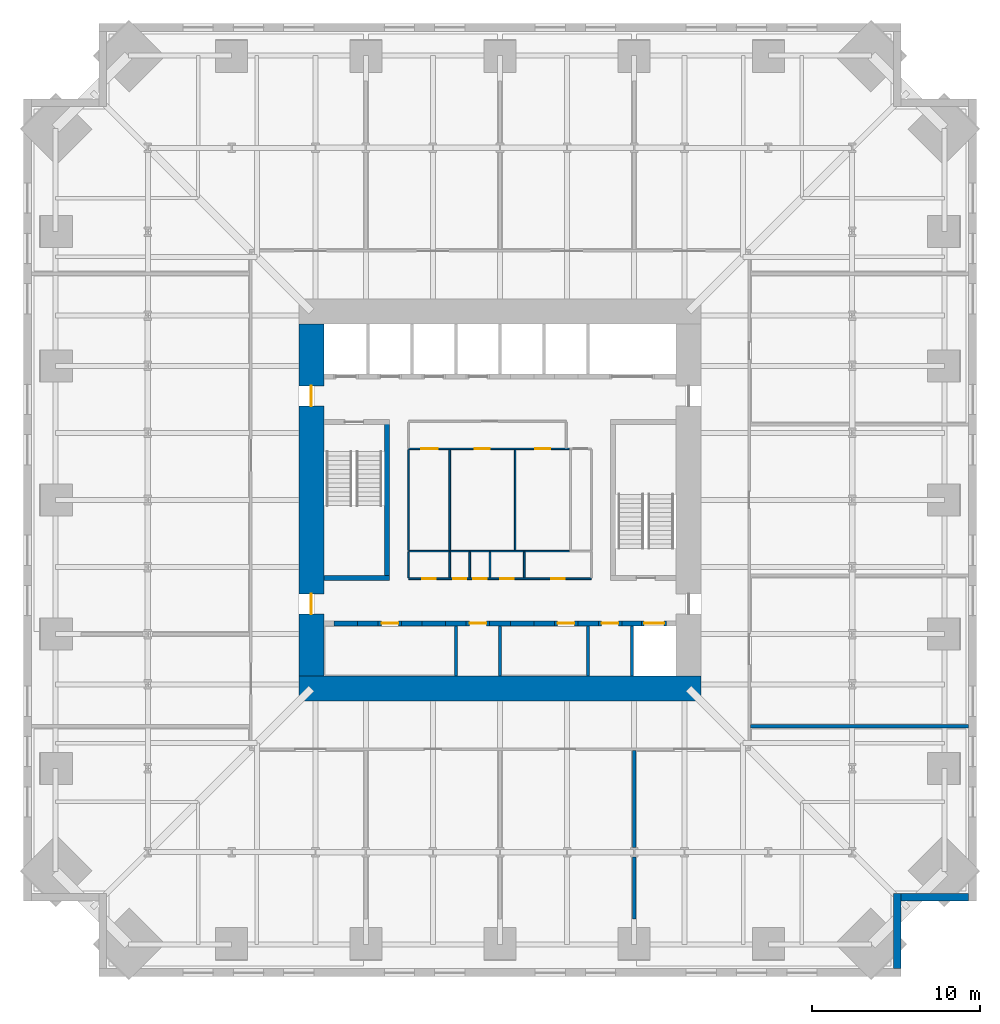
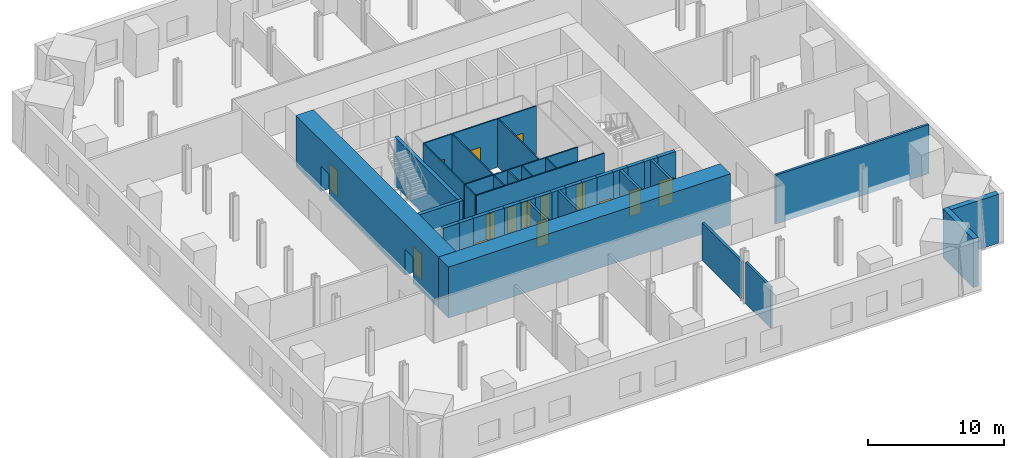
# One storey, part 4 of 8: 39 walls, 15 doors, 15 openings.
"""IFC4 building model written with IfcOpenShell, lengths in metres."""

from ifc_helpers import new_model, si_unit, direction, frame, frame_2d, origin, place, context, subcontext, project, spatial, rectangle, extrude, material, layer, layer_set, type_object, element, fill, save


model = new_model("IFC4")

# Units and contexts
model_context = context("Model", 3, precision=1e-05, world=origin(), true_north=direction((0.0, 1.0)))
body_context = subcontext(model_context, "Body", "Model", "MODEL_VIEW")
ifc_project = project(units=[si_unit("LENGTHUNIT", "METRE"), si_unit("AREAUNIT", "SQUARE_METRE"), si_unit("VOLUMEUNIT", "CUBIC_METRE"), si_unit("PLANEANGLEUNIT", "RADIAN"), si_unit("MASSUNIT", "GRAM", prefix="KILO")], contexts=[model_context])

# Site, building, storey
site_placement = place(None, origin())
site = spatial("IfcSite", under=ifc_project, at=site_placement, CompositionType="ELEMENT")
building_placement = place(site_placement, origin())
building = spatial("IfcBuilding", under=site, at=building_placement, Name="Peilmerk Tower", CompositionType="ELEMENT")
storey_placement = place(building_placement, frame((0.0, 0.0, 109.0)))
storey = spatial("IfcBuildingStorey", under=building, at=storey_placement, Name="L21", CompositionType="ELEMENT", Elevation=109.0)

# Walls
ifc_material_1 = material(Name="Precast concrete C45/55, board-marked finish", Category="concrete")
ifc_layer_1 = layer(ifc_material_1, 0.449951171875)
ifc_layer_set_1 = layer_set([ifc_layer_1], Name="Precast concrete C45/55, board-marked finish")
wall_type_1 = type_object("IfcWallType", Name="EW1 450 precast concrete facade wall, board-marked", PredefinedType="SOLIDWALL", material=ifc_layer_set_1)
wall_1_placement = place(storey_placement, frame((23.675048828125, -23.449951171875, 0.0), z_axis=(0.0, 0.0, 1.0), x_axis=(0.0, -1.0, 0.0)))
element("IfcWall", 1, at=wall_1_placement, inside=storey, type_object=wall_type_1, Name="Facade wall SEA L21", PredefinedType="SOLIDWALL", context=body_context, shape_type="SweptSolid", body=[
    extrude(rectangle(XDim=4.5, YDim=0.449951171875, at=frame_2d((2.25, 0.0))), origin(), (0.0, 0.0, 1.0), 4.39990234375),
])
wall_2_placement = place(storey_placement, frame((23.89990234375, -23.675048828125, 0.0), z_axis=(0.0, 0.0, 1.0), x_axis=(1.0, 0.0, 0.0)))
element("IfcWall", 2, at=wall_2_placement, inside=storey, type_object=wall_type_1, Name="Facade wall SEB L21", PredefinedType="SOLIDWALL", context=body_context, shape_type="SweptSolid", body=[
    extrude(rectangle(XDim=4.050048828125, YDim=0.449951171875, at=frame_2d((2.02490234375, 0.0))), origin(), (0.0, 0.0, 1.0), 4.39990234375),
])
ifc_material_2 = material(Name="Calcium silicate block", Category="masonry")
ifc_layer_2 = layer(ifc_material_2, 0.199951171875)
ifc_layer_set_2 = layer_set([ifc_layer_2], Name="Calcium silicate block")
wall_type_2 = type_object("IfcWallType", Name="IW2 200 room separating wall, EI 120", PredefinedType="PARTITIONING", material=ifc_layer_set_2)
wall_3_placement = place(storey_placement, frame((27.949951171875, -13.5, 0.0), z_axis=(0.0, 0.0, 1.0), x_axis=(-1.0, 0.0, 0.0)))
element("IfcWall", 3, at=wall_3_placement, inside=storey, type_object=wall_type_2, Name="Room separating wall SE L21", PredefinedType="PARTITIONING", context=body_context, shape_type="SweptSolid", body=[
    extrude(rectangle(XDim=13.02490234375, YDim=0.199951171875, at=frame_2d((6.512451171875, 0.0))), origin(), (0.0, 0.0, 1.0), 4.39990234375),
])
wall_4_placement = place(storey_placement, frame((8.0, -14.925048828125, 0.0), z_axis=(0.0, 0.0, 1.0), x_axis=(0.0, -1.0, 0.0)))
element("IfcWall", 4, at=wall_4_placement, inside=storey, type_object=wall_type_2, Name="Room separating wall S3 L21", PredefinedType="PARTITIONING", context=body_context, shape_type="SweptSolid", body=[
    extrude(rectangle(XDim=5.79052734375, YDim=0.199951171875, at=frame_2d((2.895263671875, 0.0))), origin(), (0.0, 0.0, 1.0), 3.39208984375),
])
wall_5_placement = place(storey_placement, frame((8.0, -21.284423828125, 0.0), z_axis=(0.0, 0.0, 1.0), x_axis=(0.0, -1.0, 0.0)))
element("IfcWall", 5, at=wall_5_placement, inside=storey, type_object=wall_type_2, Name="Room separating wall S3b L21", PredefinedType="PARTITIONING", context=body_context, shape_type="SweptSolid", body=[
    extrude(rectangle(XDim=3.688232421875, YDim=0.199951171875, at=frame_2d((1.84423828125, 0.0))), origin(), (0.0, 0.0, 1.0), 3.7099609375),
])
ifc_material_3 = material(Name="Concrete C35/45", Category="concrete")
ifc_layer_3 = layer(ifc_material_3, 0.300048828125)
ifc_layer_set_3 = layer_set([ifc_layer_3], Name="Concrete C35/45")
wall_type_3 = type_object("IfcWallType", Name="IW3 300 concrete stair enclosure wall, EI 120", PredefinedType="SOLIDWALL", material=ifc_layer_set_3)
wall_6_placement = place(storey_placement, frame((-6.75, -4.800048828125, 0.0), z_axis=(0.0, 0.0, 1.0), x_axis=(0.0, 1.0, 0.0)))
element("IfcWall", 6, at=wall_6_placement, inside=storey, type_object=wall_type_3, Name="Stair 1 enclosure L21", PredefinedType="SOLIDWALL", context=body_context, shape_type="SweptSolid", body=[
    extrude(rectangle(XDim=9.60009765625, YDim=0.300048828125, at=frame_2d((4.800048828125, 0.0))), origin(), (0.0, 0.0, 1.0), 4.35009765625),
])
wall_7_placement = place(storey_placement, frame((-6.60009765625, -4.64990234375, 0.0), z_axis=(0.0, 0.0, 1.0), x_axis=(-1.0, 0.0, 0.0)))
element("IfcWall", 7, at=wall_7_placement, inside=storey, type_object=wall_type_3, Name="Stair 1 enclosure L21", PredefinedType="SOLIDWALL", context=body_context, shape_type="SweptSolid", body=[
    extrude(rectangle(XDim=3.89990234375, YDim=0.300048828125, at=frame_2d((1.949951171875, 0.0))), origin(), (0.0, 0.0, 1.0), 4.35009765625),
])

# Wall, openings, doors
ifc_material_4 = material(Name="Plasterboard on steel studs", Category="steel")
ifc_layer_4 = layer(ifc_material_4, 0.10009765625)
ifc_layer_set_4 = layer_set([ifc_layer_4], Name="Plasterboard on steel studs")
wall_type_4 = type_object("IfcWallType", Name="IW4 100 WC partition", PredefinedType="PARTITIONING", material=ifc_layer_set_4)
wall_8_placement = place(storey_placement, frame((-5.449951171875, 3.050048828125, 0.0), z_axis=(0.0, 0.0, 1.0), x_axis=(1.0, 0.0, 0.0)))
wall_8 = element("IfcWall", 8, at=wall_8_placement, inside=storey, type_object=wall_type_4, Name="WC wall L21", PredefinedType="PARTITIONING", context=body_context, shape_type="SweptSolid", body=[
    extrude(rectangle(XDim=9.599853515625, YDim=0.10009765625, at=frame_2d((4.7998046875, 0.0))), origin(), (0.0, 0.0, 1.0), 4.35009765625),
])
opening_1_placement = place(wall_8_placement, frame((0.75, 0.0, 0.0)))
opening_1 = element("IfcOpeningElement", 9, at=opening_1_placement, cuts=wall_8, Name="Opening D6", PredefinedType="OPENING", context=body_context, shape_type="SweptSolid", body=[
    extrude(rectangle(XDim=1.0, YDim=2.300048828125, at=frame_2d((0.5, 1.14990234375))), frame((0.0, 0.06005859375, 0.0), z_axis=(0.0, -1.0, 0.0), x_axis=(1.0, 0.0, 0.0)), (0.0, 0.0, 1.0), 0.1201171875),
])
opening_2_placement = place(wall_8_placement, frame((3.949951171875, 0.0, 0.0)))
opening_2 = element("IfcOpeningElement", 10, at=opening_2_placement, cuts=wall_8, Name="Opening D5", PredefinedType="OPENING", context=body_context, shape_type="SweptSolid", body=[
    extrude(rectangle(XDim=0.89990234375, YDim=2.300048828125, at=frame_2d((0.449951171875, 1.14990234375))), frame((0.0, 0.06005859375, 0.0), z_axis=(0.0, -1.0, 0.0), x_axis=(1.0, 0.0, 0.0)), (0.0, 0.0, 1.0), 0.1201171875),
])
opening_3_placement = place(wall_8_placement, frame((7.550048828125, 0.0, 0.0)))
opening_3 = element("IfcOpeningElement", 11, at=opening_3_placement, cuts=wall_8, Name="Opening D5", PredefinedType="OPENING", context=body_context, shape_type="SweptSolid", body=[
    extrude(rectangle(XDim=0.89990234375, YDim=2.300048828125, at=frame_2d((0.449951171875, 1.14990234375))), frame((0.0, 0.06005859375, 0.0), z_axis=(0.0, -1.0, 0.0), x_axis=(1.0, 0.0, 0.0)), (0.0, 0.0, 1.0), 0.1201171875),
])
ifc_material_5 = material(Name="Timber door in steel frame", Category="steel")
door_type_1 = type_object("IfcDoorType", Name="D5 900x2300 WC door", OperationType="SINGLE_SWING_LEFT", PredefinedType="DOOR", material=ifc_material_5)
door_1_placement = place(opening_2_placement, frame((0.89990234375, 0.0, 0.0), z_axis=(0.0, 0.0, 1.0), x_axis=(-1.0, 0.0, 0.0)))
door_1 = element("IfcDoor", 12, at=door_1_placement, inside=storey, type_object=door_type_1, Name="Female toilets door L21", OperationType="SINGLE_SWING_LEFT", OverallHeight=2.300048828125, OverallWidth=0.89990234375, PredefinedType="DOOR", context=body_context, shape_type="SweptSolid", body=[
    extrude(rectangle(XDim=0.89990234375, YDim=2.300048828125, at=frame_2d((0.449951171875, 1.14990234375))), frame((0.0, 0.02490234375, 0.0), z_axis=(0.0, -1.0, 0.0), x_axis=(1.0, 0.0, 0.0)), (0.0, 0.0, 1.0), 0.050048828125),
])
fill(opening_2, door_1)
door_2_placement = place(opening_3_placement, frame((0.89990234375, 0.0, 0.0), z_axis=(0.0, 0.0, 1.0), x_axis=(-1.0, 0.0, 0.0)))
door_2 = element("IfcDoor", 13, at=door_2_placement, inside=storey, type_object=door_type_1, Name="Male toilets door L21", OperationType="SINGLE_SWING_LEFT", OverallHeight=2.300048828125, OverallWidth=0.89990234375, PredefinedType="DOOR", context=body_context, shape_type="SweptSolid", body=[
    extrude(rectangle(XDim=0.89990234375, YDim=2.300048828125, at=frame_2d((0.449951171875, 1.14990234375))), frame((0.0, 0.02490234375, 0.0), z_axis=(0.0, -1.0, 0.0), x_axis=(1.0, 0.0, 0.0)), (0.0, 0.0, 1.0), 0.050048828125),
])
fill(opening_3, door_2)
door_type_2 = type_object("IfcDoorType", Name="D6 1000x2300 accessible WC door", OperationType="SLIDING_TO_LEFT", PredefinedType="DOOR", material=ifc_material_5)
door_3_placement = place(opening_1_placement, frame((1.0, 0.0, 0.0), z_axis=(0.0, 0.0, 1.0), x_axis=(-1.0, 0.0, 0.0)))
door_3 = element("IfcDoor", 14, at=door_3_placement, inside=storey, type_object=door_type_2, Name="Accessible WC door L21", OperationType="SLIDING_TO_LEFT", OverallHeight=2.300048828125, OverallWidth=1.0, PredefinedType="DOOR", context=body_context, shape_type="SweptSolid", body=[
    extrude(rectangle(XDim=1.0, YDim=2.300048828125, at=frame_2d((0.5, 1.14990234375))), frame((0.0, 0.02490234375, 0.0), z_axis=(0.0, -1.0, 0.0), x_axis=(1.0, 0.0, 0.0)), (0.0, 0.0, 1.0), 0.050048828125),
])
fill(opening_1, door_3)

# Walls
wall_9_placement = place(storey_placement, frame((4.14990234375, -3.050048828125, 0.0), z_axis=(0.0, 0.0, 1.0), x_axis=(-1.0, 0.0, 0.0)))
element("IfcWall", 15, at=wall_9_placement, inside=storey, type_object=wall_type_4, Name="WC wall L21", PredefinedType="PARTITIONING", context=body_context, shape_type="SweptSolid", body=[
    extrude(rectangle(XDim=9.599853515625, YDim=0.10009765625, at=frame_2d((4.7998046875, 0.0))), origin(), (0.0, 0.0, 1.0), 4.35009765625),
])
for number, where, z_axis, x_axis, name in (
    (16, (-5.449951171875, -3.0, 0.0), (0.0, 0.0, 1.0), (0.0, 1.0, 0.0), "WC wall L21"),
    (17, (-3.0, -3.0, 0.0), (0.0, 0.0, 1.0), (0.0, 1.0, 0.0), "WC wall L21"),
    (18, (0.89990234375, -3.0, 0.0), (0.0, 0.0, 1.0), (0.0, 1.0, 0.0), "WC wall L21"),
):
    element("IfcWall", number, at=place(storey_placement, frame(where, z_axis=z_axis, x_axis=x_axis)), inside=storey, type_object=wall_type_4, Name=name, PredefinedType="PARTITIONING", context=body_context, shape_type="SweptSolid", body=[
        extrude(rectangle(XDim=6.0, YDim=0.10009765625, at=frame_2d((3.0, 0.0))), origin(), (0.0, 0.0, 1.0), 4.35009765625),
    ])

# Wall, openings, doors
ifc_material_6 = material(Name="Calcium silicate board on steel studs", Category="steel")
ifc_layer_5 = layer(ifc_material_6, 0.10009765625)
ifc_layer_set_5 = layer_set([ifc_layer_5], Name="Calcium silicate board on steel studs")
wall_type_5 = type_object("IfcWallType", Name="IW5 100 riser enclosure wall, EI 60", PredefinedType="PARTITIONING", material=ifc_layer_set_5)
wall_10_placement = place(storey_placement, frame((5.449951171875, -4.699951171875, 0.0), z_axis=(0.0, 0.0, 1.0), x_axis=(-1.0, 0.0, 0.0)))
wall_10 = element("IfcWall", 19, at=wall_10_placement, inside=storey, type_object=wall_type_5, Name="Riser wall L21", PredefinedType="PARTITIONING", context=body_context, shape_type="SweptSolid", body=[
    extrude(rectangle(XDim=10.89990234375, YDim=0.10009765625, at=frame_2d((5.449951171875, 0.0))), origin(), (0.0, 0.0, 1.0), 4.35009765625),
])
opening_4_placement = place(wall_10_placement, frame((9.27490234375, 0.0, 0.0)))
opening_4 = element("IfcOpeningElement", 20, at=opening_4_placement, cuts=wall_10, Name="Opening D7", PredefinedType="OPENING", context=body_context, shape_type="SweptSolid", body=[
    extrude(rectangle(XDim=0.800048828125, YDim=2.300048828125, at=frame_2d((0.39990234375, 1.14990234375))), frame((0.0, 0.06005859375, 0.0), z_axis=(0.0, -1.0, 0.0), x_axis=(1.0, 0.0, 0.0)), (0.0, 0.0, 1.0), 0.1201171875),
])
opening_5_placement = place(wall_10_placement, frame((7.449951171875, 0.0, 0.0)))
opening_5 = element("IfcOpeningElement", 21, at=opening_5_placement, cuts=wall_10, Name="Opening D7", PredefinedType="OPENING", context=body_context, shape_type="SweptSolid", body=[
    extrude(rectangle(XDim=0.800048828125, YDim=2.300048828125, at=frame_2d((0.39990234375, 1.14990234375))), frame((0.0, 0.06005859375, 0.0), z_axis=(0.0, -1.0, 0.0), x_axis=(1.0, 0.0, 0.0)), (0.0, 0.0, 1.0), 0.1201171875),
])
opening_6_placement = place(wall_10_placement, frame((6.25, 0.0, 0.0)))
opening_6 = element("IfcOpeningElement", 22, at=opening_6_placement, cuts=wall_10, Name="Opening D7", PredefinedType="OPENING", context=body_context, shape_type="SweptSolid", body=[
    extrude(rectangle(XDim=0.800048828125, YDim=2.300048828125, at=frame_2d((0.39990234375, 1.14990234375))), frame((0.0, 0.06005859375, 0.0), z_axis=(0.0, -1.0, 0.0), x_axis=(1.0, 0.0, 0.0)), (0.0, 0.0, 1.0), 0.1201171875),
])
opening_7_placement = place(wall_10_placement, frame((4.625, 0.0, 0.0)))
opening_7 = element("IfcOpeningElement", 23, at=opening_7_placement, cuts=wall_10, Name="Opening D7", PredefinedType="OPENING", context=body_context, shape_type="SweptSolid", body=[
    extrude(rectangle(XDim=0.800048828125, YDim=2.300048828125, at=frame_2d((0.39990234375, 1.14990234375))), frame((0.0, 0.06005859375, 0.0), z_axis=(0.0, -1.0, 0.0), x_axis=(1.0, 0.0, 0.0)), (0.0, 0.0, 1.0), 0.1201171875),
])
opening_8_placement = place(wall_10_placement, frame((1.60009765625, 0.0, 0.0)))
opening_8 = element("IfcOpeningElement", 24, at=opening_8_placement, cuts=wall_10, Name="Opening D7", PredefinedType="OPENING", context=body_context, shape_type="SweptSolid", body=[
    extrude(rectangle(XDim=0.800048828125, YDim=2.300048828125, at=frame_2d((0.39990234375, 1.14990234375))), frame((0.0, 0.06005859375, 0.0), z_axis=(0.0, -1.0, 0.0), x_axis=(1.0, 0.0, 0.0)), (0.0, 0.0, 1.0), 0.1201171875),
])
ifc_material_7 = material(Name="Steel door in steel frame", Category="steel")
door_type_3 = type_object("IfcDoorType", Name="D7 800x2300 riser access door, EI2 60", OperationType="SINGLE_SWING_RIGHT", PredefinedType="DOOR", material=ifc_material_7)
door_4_placement = place(opening_4_placement, frame((0.800048828125, 0.0, 0.0), z_axis=(0.0, 0.0, 1.0), x_axis=(-1.0, 0.0, 0.0)))
door_4 = element("IfcDoor", 25, at=door_4_placement, inside=storey, type_object=door_type_3, Name="Cleaner's cupboard door L21", OperationType="SINGLE_SWING_RIGHT", OverallHeight=2.300048828125, OverallWidth=0.800048828125, PredefinedType="DOOR", context=body_context, shape_type="SweptSolid", body=[
    extrude(rectangle(XDim=0.800048828125, YDim=2.300048828125, at=frame_2d((0.39990234375, 1.14990234375))), frame((0.0, 0.02490234375, 0.0), z_axis=(0.0, -1.0, 0.0), x_axis=(1.0, 0.0, 0.0)), (0.0, 0.0, 1.0), 0.050048828125),
])
fill(opening_4, door_4)
door_5_placement = place(opening_5_placement, frame((0.800048828125, 0.0, 0.0), z_axis=(0.0, 0.0, 1.0), x_axis=(-1.0, 0.0, 0.0)))
door_5 = element("IfcDoor", 26, at=door_5_placement, inside=storey, type_object=door_type_3, Name="Electrical riser door L21", OperationType="SINGLE_SWING_RIGHT", OverallHeight=2.300048828125, OverallWidth=0.800048828125, PredefinedType="DOOR", context=body_context, shape_type="SweptSolid", body=[
    extrude(rectangle(XDim=0.800048828125, YDim=2.300048828125, at=frame_2d((0.39990234375, 1.14990234375))), frame((0.0, 0.02490234375, 0.0), z_axis=(0.0, -1.0, 0.0), x_axis=(1.0, 0.0, 0.0)), (0.0, 0.0, 1.0), 0.050048828125),
])
fill(opening_5, door_5)
door_6_placement = place(opening_6_placement, frame((0.800048828125, 0.0, 0.0), z_axis=(0.0, 0.0, 1.0), x_axis=(-1.0, 0.0, 0.0)))
door_6 = element("IfcDoor", 27, at=door_6_placement, inside=storey, type_object=door_type_3, Name="Data riser door L21", OperationType="SINGLE_SWING_RIGHT", OverallHeight=2.300048828125, OverallWidth=0.800048828125, PredefinedType="DOOR", context=body_context, shape_type="SweptSolid", body=[
    extrude(rectangle(XDim=0.800048828125, YDim=2.300048828125, at=frame_2d((0.39990234375, 1.14990234375))), frame((0.0, 0.02490234375, 0.0), z_axis=(0.0, -1.0, 0.0), x_axis=(1.0, 0.0, 0.0)), (0.0, 0.0, 1.0), 0.050048828125),
])
fill(opening_6, door_6)
door_7_placement = place(opening_7_placement, frame((0.800048828125, 0.0, 0.0), z_axis=(0.0, 0.0, 1.0), x_axis=(-1.0, 0.0, 0.0)))
door_7 = element("IfcDoor", 28, at=door_7_placement, inside=storey, type_object=door_type_3, Name="Electrical room door L21", OperationType="SINGLE_SWING_RIGHT", OverallHeight=2.300048828125, OverallWidth=0.800048828125, PredefinedType="DOOR", context=body_context, shape_type="SweptSolid", body=[
    extrude(rectangle(XDim=0.800048828125, YDim=2.300048828125, at=frame_2d((0.39990234375, 1.14990234375))), frame((0.0, 0.02490234375, 0.0), z_axis=(0.0, -1.0, 0.0), x_axis=(1.0, 0.0, 0.0)), (0.0, 0.0, 1.0), 0.050048828125),
])
fill(opening_7, door_7)
door_8_placement = place(opening_8_placement, frame((0.800048828125, 0.0, 0.0), z_axis=(0.0, 0.0, 1.0), x_axis=(-1.0, 0.0, 0.0)))
door_8 = element("IfcDoor", 29, at=door_8_placement, inside=storey, type_object=door_type_3, Name="Comms room door L21", OperationType="SINGLE_SWING_RIGHT", OverallHeight=2.300048828125, OverallWidth=0.800048828125, PredefinedType="DOOR", context=body_context, shape_type="SweptSolid", body=[
    extrude(rectangle(XDim=0.800048828125, YDim=2.300048828125, at=frame_2d((0.39990234375, 1.14990234375))), frame((0.0, 0.02490234375, 0.0), z_axis=(0.0, -1.0, 0.0), x_axis=(1.0, 0.0, 0.0)), (0.0, 0.0, 1.0), 0.050048828125),
])
fill(opening_8, door_8)

# Walls
for number, where, z_axis, x_axis, name in (
    (30, (-5.449951171875, -3.10009765625, 0.0), (0.0, 0.0, 1.0), (0.0, -1.0, 0.0), "Riser wall L21"),
    (31, (-3.0, -3.10009765625, 0.0), (0.0, 0.0, 1.0), (0.0, -1.0, 0.0), "Riser wall L21"),
    (32, (-1.800048828125, -3.10009765625, 0.0), (0.0, 0.0, 1.0), (0.0, -1.0, 0.0), "Riser wall L21"),
    (33, (-0.60009765625, -3.10009765625, 0.0), (0.0, 0.0, 1.0), (0.0, -1.0, 0.0), "Riser wall L21"),
    (34, (1.449951171875, -3.10009765625, 0.0), (0.0, 0.0, 1.0), (0.0, -1.0, 0.0), "Riser wall L21"),
):
    element("IfcWall", number, at=place(storey_placement, frame(where, z_axis=z_axis, x_axis=x_axis)), inside=storey, type_object=wall_type_5, Name=name, PredefinedType="PARTITIONING", context=body_context, shape_type="SweptSolid", body=[
        extrude(rectangle(XDim=1.5498046875, YDim=0.10009765625, at=frame_2d((0.77490234375, 0.0))), origin(), (0.0, 0.0, 1.0), 4.35009765625),
    ])
ifc_layer_6 = layer(ifc_material_2, 0.199951171875)
ifc_layer_set_6 = layer_set([ifc_layer_6], Name="Calcium silicate block")
wall_type_6 = type_object("IfcWallType", Name="SH1 200 shaft dividing wall, EI 120", PredefinedType="PARTITIONING", material=ifc_layer_set_6)
for number, where, z_axis, x_axis, name in (
    (35, (-2.625, -10.5, 0.0), (0.0, 0.0, 1.0), (0.0, 1.0, 0.0), "Shaft wall S C2 L21"),
    (36, (0.0, -10.5, 0.0), (0.0, 0.0, 1.0), (0.0, 1.0, 0.0), "Shaft wall S C1 L21"),
    (37, (5.25, -10.5, 0.0), (0.0, 0.0, 1.0), (0.0, 1.0, 0.0), "Shaft wall S B2 L21"),
    (38, (7.875, -10.5, 0.0), (0.0, 0.0, 1.0), (0.0, 1.0, 0.0), "Shaft wall S B1 L21"),
):
    element("IfcWall", number, at=place(storey_placement, frame(where, z_axis=z_axis, x_axis=x_axis)), inside=storey, type_object=wall_type_6, Name=name, PredefinedType="PARTITIONING", context=body_context, shape_type="SweptSolid", body=[
        extrude(rectangle(XDim=3.0, YDim=0.199951171875, at=frame_2d((1.5, 0.0))), origin(), (0.0, 0.0, 1.0), 4.60009765625),
    ])
ifc_layer_7 = layer(ifc_material_2, 0.300048828125)
ifc_layer_set_7 = layer_set([ifc_layer_7], Name="Calcium silicate block")
wall_type_7 = type_object("IfcWallType", Name="SH2 300 lift landing door panel, EI 120", PredefinedType="PARTITIONING", material=ifc_layer_set_7)
wall_11_placement = place(storey_placement, frame((-9.887451171875, -7.35009765625, 0.0), z_axis=(0.0, 0.0, 1.0), x_axis=(1.0, 0.0, 0.0)))
element("IfcWall", 39, at=wall_11_placement, inside=storey, type_object=wall_type_7, Name="Lift door panel S C4 L21", PredefinedType="PARTITIONING", context=body_context, shape_type="SweptSolid", body=[
    extrude(rectangle(XDim=1.39990234375, YDim=0.300048828125, at=frame_2d((0.699951171875, 0.0))), origin(), (0.0, 0.0, 1.0), 4.60009765625),
])

# Wall, opening, door
wall_12_placement = place(storey_placement, frame((-7.262451171875, -7.35009765625, 0.0), z_axis=(0.0, 0.0, 1.0), x_axis=(1.0, 0.0, 0.0)))
wall_12 = element("IfcWall", 40, at=wall_12_placement, inside=storey, type_object=wall_type_7, Name="Lift door panel S C3 L21", PredefinedType="PARTITIONING", context=body_context, shape_type="SweptSolid", body=[
    extrude(rectangle(XDim=1.39990234375, YDim=0.300048828125, at=frame_2d((0.699951171875, 0.0))), origin(), (0.0, 0.0, 1.0), 4.60009765625),
])
opening_9_placement = place(wall_12_placement, frame((0.199951171875, 0.0, 0.0)))
opening_9 = element("IfcOpeningElement", 41, at=opening_9_placement, cuts=wall_12, Name="Opening D10", PredefinedType="OPENING", context=body_context, shape_type="SweptSolid", body=[
    extrude(rectangle(XDim=1.0, YDim=2.300048828125, at=frame_2d((0.5, 1.14990234375))), frame((0.0, 0.159912109375, 0.0), z_axis=(0.0, -1.0, 0.0), x_axis=(1.0, 0.0, 0.0)), (0.0, 0.0, 1.0), 0.320068359375),
])
door_type_4 = type_object("IfcDoorType", Name="D10 1000x2300 core room door, EI2 60", OperationType="SINGLE_SWING_RIGHT", PredefinedType="DOOR", material=ifc_material_7)
door_9_placement = place(opening_9_placement, frame((1.0, 0.0, 0.0), z_axis=(0.0, 0.0, 1.0), x_axis=(-1.0, 0.0, 0.0)))
door_9 = element("IfcDoor", 42, at=door_9_placement, inside=storey, type_object=door_type_4, Name="Door Back-of-house office L21", OperationType="SINGLE_SWING_RIGHT", OverallHeight=2.300048828125, OverallWidth=1.0, PredefinedType="DOOR", context=body_context, shape_type="SweptSolid", body=[
    extrude(rectangle(XDim=1.0, YDim=2.300048828125, at=frame_2d((0.5, 1.14990234375))), frame((0.0, 0.02490234375, 0.0), z_axis=(0.0, -1.0, 0.0), x_axis=(1.0, 0.0, 0.0)), (0.0, 0.0, 1.0), 0.050048828125),
])
fill(opening_9, door_9)

# Wall
wall_13_placement = place(storey_placement, frame((-4.637451171875, -7.35009765625, 0.0), z_axis=(0.0, 0.0, 1.0), x_axis=(1.0, 0.0, 0.0)))
element("IfcWall", 43, at=wall_13_placement, inside=storey, type_object=wall_type_7, Name="Lift door panel S C2 L21", PredefinedType="PARTITIONING", context=body_context, shape_type="SweptSolid", body=[
    extrude(rectangle(XDim=1.39990234375, YDim=0.300048828125, at=frame_2d((0.699951171875, 0.0))), origin(), (0.0, 0.0, 1.0), 4.60009765625),
])

# Wall, opening, door
wall_14_placement = place(storey_placement, frame((-2.012451171875, -7.35009765625, 0.0), z_axis=(0.0, 0.0, 1.0), x_axis=(1.0, 0.0, 0.0)))
wall_14 = element("IfcWall", 44, at=wall_14_placement, inside=storey, type_object=wall_type_7, Name="Lift door panel S C1 L21", PredefinedType="PARTITIONING", context=body_context, shape_type="SweptSolid", body=[
    extrude(rectangle(XDim=1.39990234375, YDim=0.300048828125, at=frame_2d((0.699951171875, 0.0))), origin(), (0.0, 0.0, 1.0), 4.60009765625),
])
opening_10_placement = place(wall_14_placement, frame((0.199951171875, 0.0, 0.0)))
opening_10 = element("IfcOpeningElement", 45, at=opening_10_placement, cuts=wall_14, Name="Opening D10", PredefinedType="OPENING", context=body_context, shape_type="SweptSolid", body=[
    extrude(rectangle(XDim=1.0, YDim=2.300048828125, at=frame_2d((0.5, 1.14990234375))), frame((0.0, 0.159912109375, 0.0), z_axis=(0.0, -1.0, 0.0), x_axis=(1.0, 0.0, 0.0)), (0.0, 0.0, 1.0), 0.320068359375),
])
door_10_placement = place(opening_10_placement, frame((1.0, 0.0, 0.0), z_axis=(0.0, 0.0, 1.0), x_axis=(-1.0, 0.0, 0.0)))
door_10 = element("IfcDoor", 46, at=door_10_placement, inside=storey, type_object=door_type_4, Name="Door Water meter room L21", OperationType="SINGLE_SWING_RIGHT", OverallHeight=2.300048828125, OverallWidth=1.0, PredefinedType="DOOR", context=body_context, shape_type="SweptSolid", body=[
    extrude(rectangle(XDim=1.0, YDim=2.300048828125, at=frame_2d((0.5, 1.14990234375))), frame((0.0, 0.02490234375, 0.0), z_axis=(0.0, -1.0, 0.0), x_axis=(1.0, 0.0, 0.0)), (0.0, 0.0, 1.0), 0.050048828125),
])
fill(opening_10, door_10)

# Wall
wall_15_placement = place(storey_placement, frame((0.612548828125, -7.35009765625, 0.0), z_axis=(0.0, 0.0, 1.0), x_axis=(1.0, 0.0, 0.0)))
element("IfcWall", 47, at=wall_15_placement, inside=storey, type_object=wall_type_7, Name="Lift door panel S B3 L21", PredefinedType="PARTITIONING", context=body_context, shape_type="SweptSolid", body=[
    extrude(rectangle(XDim=1.39990234375, YDim=0.300048828125, at=frame_2d((0.699951171875, 0.0))), origin(), (0.0, 0.0, 1.0), 4.60009765625),
])

# Wall, opening, door
wall_16_placement = place(storey_placement, frame((3.237548828125, -7.35009765625, 0.0), z_axis=(0.0, 0.0, 1.0), x_axis=(1.0, 0.0, 0.0)))
wall_16 = element("IfcWall", 48, at=wall_16_placement, inside=storey, type_object=wall_type_7, Name="Lift door panel S B2 L21", PredefinedType="PARTITIONING", context=body_context, shape_type="SweptSolid", body=[
    extrude(rectangle(XDim=1.39990234375, YDim=0.300048828125, at=frame_2d((0.699951171875, 0.0))), origin(), (0.0, 0.0, 1.0), 4.60009765625),
])
opening_11_placement = place(wall_16_placement, frame((0.199951171875, 0.0, 0.0)))
opening_11 = element("IfcOpeningElement", 49, at=opening_11_placement, cuts=wall_16, Name="Opening D10", PredefinedType="OPENING", context=body_context, shape_type="SweptSolid", body=[
    extrude(rectangle(XDim=1.0, YDim=2.300048828125, at=frame_2d((0.5, 1.14990234375))), frame((0.0, 0.159912109375, 0.0), z_axis=(0.0, -1.0, 0.0), x_axis=(1.0, 0.0, 0.0)), (0.0, 0.0, 1.0), 0.320068359375),
])
door_11_placement = place(opening_11_placement, frame((1.0, 0.0, 0.0), z_axis=(0.0, 0.0, 1.0), x_axis=(-1.0, 0.0, 0.0)))
door_11 = element("IfcDoor", 50, at=door_11_placement, inside=storey, type_object=door_type_4, Name="Door Pantry L21", OperationType="SINGLE_SWING_RIGHT", OverallHeight=2.300048828125, OverallWidth=1.0, PredefinedType="DOOR", context=body_context, shape_type="SweptSolid", body=[
    extrude(rectangle(XDim=1.0, YDim=2.300048828125, at=frame_2d((0.5, 1.14990234375))), frame((0.0, 0.02490234375, 0.0), z_axis=(0.0, -1.0, 0.0), x_axis=(1.0, 0.0, 0.0)), (0.0, 0.0, 1.0), 0.050048828125),
])
fill(opening_11, door_11)

wall_17_placement = place(storey_placement, frame((5.862548828125, -7.35009765625, 0.0), z_axis=(0.0, 0.0, 1.0), x_axis=(1.0, 0.0, 0.0)))
wall_17 = element("IfcWall", 51, at=wall_17_placement, inside=storey, type_object=wall_type_7, Name="Lift door panel S B1 L21", PredefinedType="PARTITIONING", context=body_context, shape_type="SweptSolid", body=[
    extrude(rectangle(XDim=1.39990234375, YDim=0.300048828125, at=frame_2d((0.699951171875, 0.0))), origin(), (0.0, 0.0, 1.0), 4.60009765625),
])
opening_12_placement = place(wall_17_placement, frame((0.199951171875, 0.0, 0.0)))
opening_12 = element("IfcOpeningElement", 52, at=opening_12_placement, cuts=wall_17, Name="Opening D10", PredefinedType="OPENING", context=body_context, shape_type="SweptSolid", body=[
    extrude(rectangle(XDim=1.0, YDim=2.300048828125, at=frame_2d((0.5, 1.14990234375))), frame((0.0, 0.159912109375, 0.0), z_axis=(0.0, -1.0, 0.0), x_axis=(1.0, 0.0, 0.0)), (0.0, 0.0, 1.0), 0.320068359375),
])
door_12_placement = place(opening_12_placement, frame((1.0, 0.0, 0.0), z_axis=(0.0, 0.0, 1.0), x_axis=(-1.0, 0.0, 0.0)))
door_12 = element("IfcDoor", 53, at=door_12_placement, inside=storey, type_object=door_type_4, Name="Door Staff WC L21", OperationType="SINGLE_SWING_RIGHT", OverallHeight=2.300048828125, OverallWidth=1.0, PredefinedType="DOOR", context=body_context, shape_type="SweptSolid", body=[
    extrude(rectangle(XDim=1.0, YDim=2.300048828125, at=frame_2d((0.5, 1.14990234375))), frame((0.0, 0.02490234375, 0.0), z_axis=(0.0, -1.0, 0.0), x_axis=(1.0, 0.0, 0.0)), (0.0, 0.0, 1.0), 0.050048828125),
])
fill(opening_12, door_12)

wall_18_placement = place(storey_placement, frame((8.4375, -7.35009765625, 0.0), z_axis=(0.0, 0.0, 1.0), x_axis=(1.0, 0.0, 0.0)))
wall_18 = element("IfcWall", 54, at=wall_18_placement, inside=storey, type_object=wall_type_7, Name="Lift door panel S FL2 L21", PredefinedType="PARTITIONING", context=body_context, shape_type="SweptSolid", body=[
    extrude(rectangle(XDim=1.5, YDim=0.300048828125, at=frame_2d((0.75, 0.0))), origin(), (0.0, 0.0, 1.0), 4.60009765625),
])
opening_13_placement = place(wall_18_placement, frame((0.14990234375, 0.0, 0.0)))
opening_13 = element("IfcOpeningElement", 55, at=opening_13_placement, cuts=wall_18, Name="Opening LD2", PredefinedType="OPENING", context=body_context, shape_type="SweptSolid", body=[
    extrude(rectangle(XDim=1.199951171875, YDim=2.300048828125, at=frame_2d((0.60009765625, 1.14990234375))), frame((0.0, 0.159912109375, 0.0), z_axis=(0.0, -1.0, 0.0), x_axis=(1.0, 0.0, 0.0)), (0.0, 0.0, 1.0), 0.320068359375),
])
ifc_material_8 = material(Name="Stainless steel landing door", Category="steel")
door_type_5 = type_object("IfcDoorType", Name="LD2 1200x2300 lift landing door, sliding, EI2 60", OperationType="SLIDING_TO_LEFT", PredefinedType="DOOR", material=ifc_material_8)
door_13_placement = place(opening_13_placement, origin())
door_13 = element("IfcDoor", 56, at=door_13_placement, inside=storey, type_object=door_type_5, Name="Lift landing door FL2 L21", OperationType="SLIDING_TO_LEFT", OverallHeight=2.300048828125, OverallWidth=1.199951171875, PredefinedType="DOOR", context=body_context, shape_type="SweptSolid", body=[
    extrude(rectangle(XDim=1.199951171875, YDim=2.300048828125, at=frame_2d((0.60009765625, 1.14990234375))), frame((0.0, 0.02490234375, 0.0), z_axis=(0.0, -1.0, 0.0), x_axis=(1.0, 0.0, 0.0)), (0.0, 0.0, 1.0), 0.050048828125),
])
fill(opening_13, door_13)

# Wall
ifc_material_9 = material(Name="Concrete C55/67", Category="concrete")
ifc_layer_8 = layer(ifc_material_9, 1.5)
ifc_layer_set_8 = layer_set([ifc_layer_8], Name="Concrete C55/67")
wall_type_8 = type_object("IfcWallType", Name="SW1 1500 core wall", PredefinedType="SHEAR", material=ifc_layer_set_8)
wall_19_placement = place(storey_placement, frame((12.0, -11.25, 0.0), z_axis=(0.0, 0.0, 1.0), x_axis=(-1.0, 0.0, 0.0)))
element("IfcWall", 57, at=wall_19_placement, inside=storey, type_object=wall_type_8, Name="Core wall S L21", PredefinedType="SHEAR", context=body_context, shape_type="SweptSolid", body=[
    extrude(rectangle(XDim=24.0, YDim=1.5, at=frame_2d((12.0, 0.0))), origin(), (0.0, 0.0, 1.0), 4.60009765625),
])

# Wall, openings, doors
wall_20_placement = place(storey_placement, frame((-11.25, -10.5, 0.0), z_axis=(0.0, 0.0, 1.0), x_axis=(0.0, 1.0, 0.0)))
wall_20 = element("IfcWall", 58, at=wall_20_placement, inside=storey, type_object=wall_type_8, Name="Core wall W L21", PredefinedType="SHEAR", context=body_context, shape_type="SweptSolid", body=[
    extrude(rectangle(XDim=21.0, YDim=1.5, at=frame_2d((10.5, 0.0))), origin(), (0.0, 0.0, 1.0), 4.60009765625),
])
opening_14_placement = place(wall_20_placement, frame((16.10009765625, 0.0, 0.0)))
opening_14 = element("IfcOpeningElement", 59, at=opening_14_placement, cuts=wall_20, Name="Opening D3", PredefinedType="OPENING", context=body_context, shape_type="SweptSolid", body=[
    extrude(rectangle(XDim=1.199951171875, YDim=2.300048828125, at=frame_2d((0.60009765625, 1.14990234375))), frame((0.0, 0.760009765625, 0.0), z_axis=(0.0, -1.0, 0.0), x_axis=(1.0, 0.0, 0.0)), (0.0, 0.0, 1.0), 1.52001953125),
])
opening_15_placement = place(wall_20_placement, frame((3.699951171875, 0.0, 0.0)))
opening_15 = element("IfcOpeningElement", 60, at=opening_15_placement, cuts=wall_20, Name="Opening D3", PredefinedType="OPENING", context=body_context, shape_type="SweptSolid", body=[
    extrude(rectangle(XDim=1.199951171875, YDim=2.300048828125, at=frame_2d((0.60009765625, 1.14990234375))), frame((0.0, 0.760009765625, 0.0), z_axis=(0.0, -1.0, 0.0), x_axis=(1.0, 0.0, 0.0)), (0.0, 0.0, 1.0), 1.52001953125),
])
door_type_6 = type_object("IfcDoorType", Name="D3 1200x2300 core door, EI2 60", OperationType="SINGLE_SWING_LEFT", PredefinedType="DOOR", material=ifc_material_7)
door_14_placement = place(opening_14_placement, frame((1.199951171875, 0.0, 0.0), z_axis=(0.0, 0.0, 1.0), x_axis=(-1.0, 0.0, 0.0)))
door_14 = element("IfcDoor", 61, at=door_14_placement, inside=storey, type_object=door_type_6, Name="Core door L21", OperationType="SINGLE_SWING_LEFT", OverallHeight=2.300048828125, OverallWidth=1.199951171875, PredefinedType="DOOR", context=body_context, shape_type="SweptSolid", body=[
    extrude(rectangle(XDim=1.199951171875, YDim=2.300048828125, at=frame_2d((0.60009765625, 1.14990234375))), frame((0.0, 0.02490234375, 0.0), z_axis=(0.0, -1.0, 0.0), x_axis=(1.0, 0.0, 0.0)), (0.0, 0.0, 1.0), 0.050048828125),
])
fill(opening_14, door_14)
door_15_placement = place(opening_15_placement, frame((1.199951171875, 0.0, 0.0), z_axis=(0.0, 0.0, 1.0), x_axis=(-1.0, 0.0, 0.0)))
door_15 = element("IfcDoor", 62, at=door_15_placement, inside=storey, type_object=door_type_6, Name="Core door L21", OperationType="SINGLE_SWING_LEFT", OverallHeight=2.300048828125, OverallWidth=1.199951171875, PredefinedType="DOOR", context=body_context, shape_type="SweptSolid", body=[
    extrude(rectangle(XDim=1.199951171875, YDim=2.300048828125, at=frame_2d((0.60009765625, 1.14990234375))), frame((0.0, 0.02490234375, 0.0), z_axis=(0.0, -1.0, 0.0), x_axis=(1.0, 0.0, 0.0)), (0.0, 0.0, 1.0), 0.050048828125),
])
fill(opening_15, door_15)

# Walls
ifc_layer_9 = layer(ifc_material_9, 0.300048828125)
ifc_layer_set_9 = layer_set([ifc_layer_9], Name="Concrete C55/67")
wall_type_9 = type_object("IfcWallType", Name="SW2 300 lift bank pier", PredefinedType="SHEAR", material=ifc_layer_set_9)
for number, where, z_axis, x_axis, name in (
    (63, (-8.487548828125, -7.35009765625, 0.0), (0.0, 0.0, 1.0), (1.0, 0.0, 0.0), "Lift bank pier S L21"),
    (64, (-5.862548828125, -7.35009765625, 0.0), (0.0, 0.0, 1.0), (1.0, 0.0, 0.0), "Lift bank pier S L21"),
    (65, (-3.237548828125, -7.35009765625, 0.0), (0.0, 0.0, 1.0), (1.0, 0.0, 0.0), "Lift bank pier S L21"),
    (66, (-0.612548828125, -7.35009765625, 0.0), (0.0, 0.0, 1.0), (1.0, 0.0, 0.0), "Lift bank pier S L21"),
    (67, (2.012451171875, -7.35009765625, 0.0), (0.0, 0.0, 1.0), (1.0, 0.0, 0.0), "Lift bank pier S L21"),
    (68, (4.637451171875, -7.35009765625, 0.0), (0.0, 0.0, 1.0), (1.0, 0.0, 0.0), "Lift bank pier S L21"),
):
    element("IfcWall", number, at=place(storey_placement, frame(where, z_axis=z_axis, x_axis=x_axis)), inside=storey, type_object=wall_type_9, Name=name, PredefinedType="SHEAR", context=body_context, shape_type="SweptSolid", body=[
        extrude(rectangle(XDim=1.22509765625, YDim=0.300048828125, at=frame_2d((0.612548828125, 0.0))), origin(), (0.0, 0.0, 1.0), 4.60009765625),
    ])
wall_21_placement = place(storey_placement, frame((7.262451171875, -7.35009765625, 0.0), z_axis=(0.0, 0.0, 1.0), x_axis=(1.0, 0.0, 0.0)))
element("IfcWall", 69, at=wall_21_placement, inside=storey, type_object=wall_type_9, Name="Lift bank pier S L21", PredefinedType="SHEAR", context=body_context, shape_type="SweptSolid", body=[
    extrude(rectangle(XDim=1.175048828125, YDim=0.300048828125, at=frame_2d((0.58740234375, 0.0))), origin(), (0.0, 0.0, 1.0), 4.60009765625),
])

save(model, "model.ifc")
